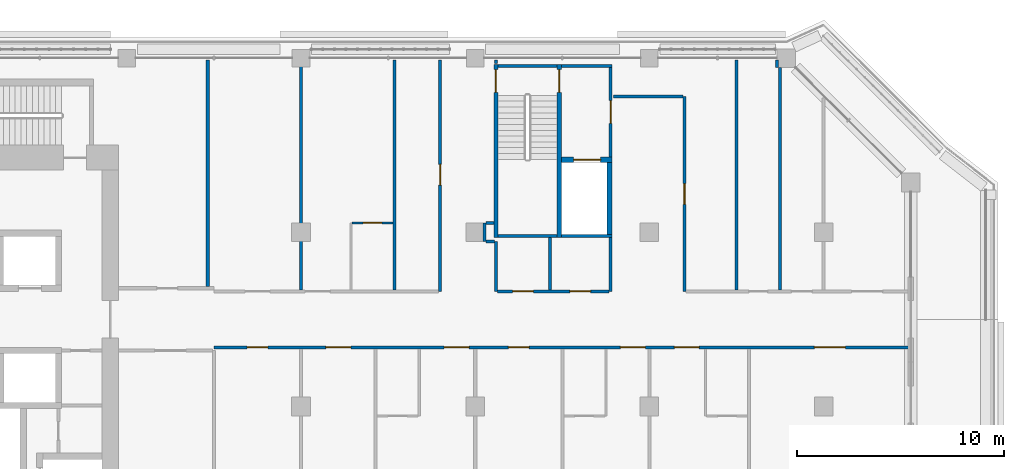
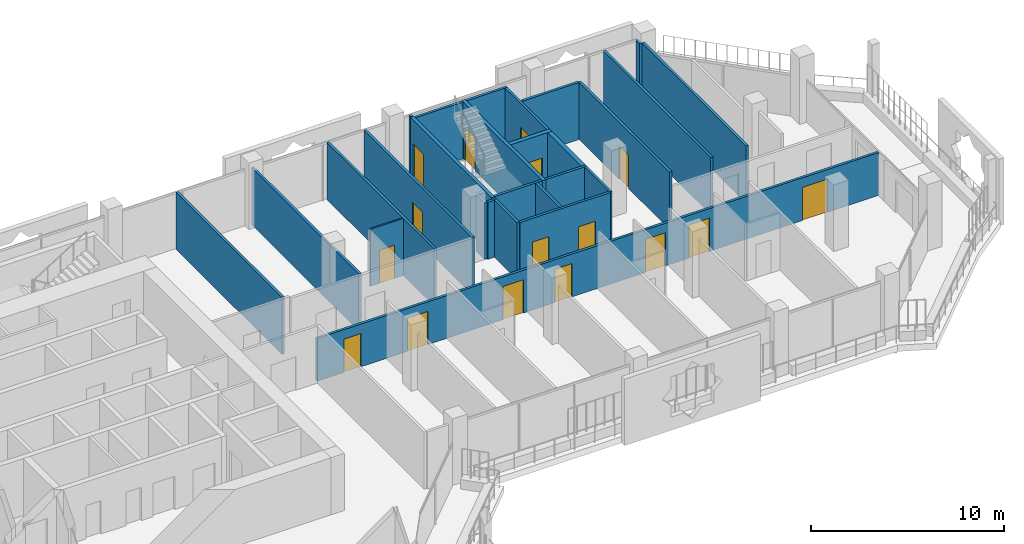
# One storey, part 12 of 21: 28 walls, 16 doors, 16 openings.
"""IFC4 building model written with IfcOpenShell, lengths in metres."""

from ifc_helpers import new_model, si_unit, direction, frame, frame_2d, origin, place, context, subcontext, project, spatial, rectangle, extrude, material, layer, layer_set, type_object, element, fill, save


model = new_model("IFC4")

# Units and contexts
model_context = context("Model", 3, precision=1e-05, world=origin(), true_north=direction((0.0, 1.0)))
body_context = subcontext(model_context, "Body", "Model", "MODEL_VIEW")
ifc_project = project(units=[si_unit("LENGTHUNIT", "METRE"), si_unit("AREAUNIT", "SQUARE_METRE"), si_unit("VOLUMEUNIT", "CUBIC_METRE"), si_unit("PLANEANGLEUNIT", "RADIAN"), si_unit("MASSUNIT", "GRAM", prefix="KILO")], contexts=[model_context])

# Site, building, storey
site_placement = place(None, origin())
site = spatial("IfcSite", under=ifc_project, at=site_placement, CompositionType="ELEMENT")
building_placement = place(site_placement, origin())
building = spatial("IfcBuilding", under=site, at=building_placement, Name="Kawkab Arch Medical Tower", CompositionType="ELEMENT")
storey_placement = place(building_placement, frame((0.0, 0.0, 264.199951171875)))
storey = spatial("IfcBuildingStorey", under=building, at=storey_placement, Name="L61", CompositionType="ELEMENT", Elevation=264.199951171875)

# Wall, opening, door
ifc_material_1 = material(Name="Gypsum board on steel studs", Category="steel")
ifc_layer_1 = layer(ifc_material_1, 0.14990234375)
ifc_layer_set_1 = layer_set([ifc_layer_1], Name="Gypsum board on steel studs")
wall_type_1 = type_object("IfcWallType", Name="Core room partition 150", PredefinedType="PARTITIONING", material=ifc_layer_set_1)
wall_1_placement = place(storey_placement, frame((48.52490234375, -4.77490234375, 0.0), z_axis=(0.0, 0.0, 1.0), x_axis=(0.0, 1.0, 0.0)))
wall_1 = element("IfcWall", 1, at=wall_1_placement, inside=storey, type_object=wall_type_1, Name="L61 core room partition", PredefinedType="PARTITIONING", context=body_context, shape_type="SweptSolid", body=[
    extrude(rectangle(XDim=4.324951171875, YDim=0.14990234375, at=frame_2d((2.16259765625, 0.0))), origin(), (0.0, 0.0, 1.0), 3.60009765625),
])
opening_1_placement = place(wall_1_placement, frame((1.625, 0.0, 0.0)))
opening_1 = element("IfcOpeningElement", 2, at=opening_1_placement, cuts=wall_1, Name="Opening FD", PredefinedType="OPENING", context=body_context, shape_type="SweptSolid", body=[
    extrude(rectangle(XDim=1.10009765625, YDim=2.10009765625, at=frame_2d((0.550048828125, 1.050048828125))), frame((0.0, 0.0849609375, 0.0), z_axis=(0.0, -1.0, 0.0), x_axis=(1.0, 0.0, 0.0)), (0.0, 0.0, 1.0), 0.169921875),
])
ifc_material_2 = material(Name="Hollow metal fire door leaf")
door_type_1 = type_object("IfcDoorType", Name="Firefighting lobby door 1100", OperationType="SINGLE_SWING_LEFT", PredefinedType="DOOR", material=ifc_material_2)
door_1_placement = place(opening_1_placement, origin())
door_1 = element("IfcDoor", 3, at=door_1_placement, inside=storey, type_object=door_type_1, Name="L61 Service lift lobby door SV1", OperationType="SINGLE_SWING_LEFT", OverallHeight=2.10009765625, OverallWidth=1.10009765625, PredefinedType="DOOR", context=body_context, shape_type="SweptSolid", body=[
    extrude(rectangle(XDim=1.10009765625, YDim=2.10009765625, at=frame_2d((0.550048828125, 1.050048828125))), frame((0.0, 0.02490234375, 0.0), z_axis=(0.0, -1.0, 0.0), x_axis=(1.0, 0.0, 0.0)), (0.0, 0.0, 1.0), 0.050048828125),
])
fill(opening_1, door_1)

ifc_material_3 = material(Name="Concrete C60/75", Category="concrete")
ifc_layer_2 = layer(ifc_material_3, 0.25)
ifc_layer_set_2 = layer_set([ifc_layer_2], Name="Concrete C60/75")
wall_type_2 = type_object("IfcWallType", Name="Core shear wall 250 C60/75", PredefinedType="SHEAR", material=ifc_layer_set_2)
wall_2_placement = place(storey_placement, frame((46.14990234375, -4.89990234375, 0.0), z_axis=(0.0, 0.0, 1.0), x_axis=(1.0, 0.0, 0.0)))
wall_2 = element("IfcWall", 4, at=wall_2_placement, inside=storey, type_object=wall_type_2, Name="L61 core shear wall", PredefinedType="SHEAR", context=body_context, shape_type="SweptSolid", body=[
    extrude(rectangle(XDim=2.4501953125, YDim=0.25, at=frame_2d((1.22509765625, 0.0))), origin(), (0.0, 0.0, 1.0), 3.60009765625),
])
opening_2_placement = place(wall_2_placement, frame((0.60009765625, 0.0, 0.0)))
opening_2 = element("IfcOpeningElement", 5, at=opening_2_placement, cuts=wall_2, Name="Opening LD2", PredefinedType="OPENING", context=body_context, shape_type="SweptSolid", body=[
    extrude(rectangle(XDim=1.300048828125, YDim=2.10009765625, at=frame_2d((0.64990234375, 1.050048828125))), frame((0.0, 0.135009765625, 0.0), z_axis=(0.0, -1.0, 0.0), x_axis=(1.0, 0.0, 0.0)), (0.0, 0.0, 1.0), 0.27001953125),
])
ifc_material_4 = material(Name="Stainless steel lift door leaf", Category="steel")
door_type_2 = type_object("IfcDoorType", Name="Lift landing door 1300", OperationType="DOUBLE_DOOR_SLIDING", PredefinedType="DOOR", material=ifc_material_4)
door_2_placement = place(opening_2_placement, origin())
door_2 = element("IfcDoor", 6, at=door_2_placement, inside=storey, type_object=door_type_2, Name="L61 Lift landing door SV1", OperationType="DOUBLE_DOOR_SLIDING", OverallHeight=2.10009765625, OverallWidth=1.300048828125, PredefinedType="DOOR", context=body_context, shape_type="SweptSolid", body=[
    extrude(rectangle(XDim=1.300048828125, YDim=2.10009765625, at=frame_2d((0.64990234375, 1.050048828125))), frame((0.0, 0.02490234375, 0.0), z_axis=(0.0, -1.0, 0.0), x_axis=(1.0, 0.0, 0.0)), (0.0, 0.0, 1.0), 0.050048828125),
])
fill(opening_2, door_2)

# Wall
wall_3_placement = place(storey_placement, frame((48.47509765625, -8.5, 0.0), z_axis=(0.0, 0.0, 1.0), x_axis=(0.0, 1.0, 0.0)))
element("IfcWall", 7, at=wall_3_placement, inside=storey, type_object=wall_type_2, Name="L61 core shear wall", PredefinedType="SHEAR", context=body_context, shape_type="SweptSolid", body=[
    extrude(rectangle(XDim=3.47509765625, YDim=0.25, at=frame_2d((1.737548828125, 0.0))), origin(), (0.0, 0.0, 1.0), 3.60009765625),
])

# Wall, opening, door
ifc_material_5 = material(Name="Gypsum board partition on steel studs", Category="steel")
ifc_layer_3 = layer(ifc_material_5, 0.10009765625)
ifc_layer_set_3 = layer_set([ifc_layer_3], Name="Gypsum board partition on steel studs")
wall_type_3 = type_object("IfcWallType", Name="Partition 100", PredefinedType="PARTITIONING", material=ifc_layer_set_3)
wall_4_placement = place(storey_placement, frame((36.050048828125, -7.949951171875, 0.0), z_axis=(0.0, 0.0, 1.0), x_axis=(1.0, 0.0, 0.0)))
wall_4 = element("IfcWall", 8, at=wall_4_placement, inside=storey, type_object=wall_type_3, Name="Partition 100 w004", PredefinedType="PARTITIONING", context=body_context, shape_type="SweptSolid", body=[
    extrude(rectangle(XDim=1.974853515625, YDim=0.10009765625, at=frame_2d((0.9873046875, 0.0))), origin(), (0.0, 0.0, 1.0), 3.60009765625),
])
opening_3_placement = place(wall_4_placement, frame((0.550048828125, 0.0, 0.0)))
opening_3 = element("IfcOpeningElement", 9, at=opening_3_placement, cuts=wall_4, Name="Opening W56-006", PredefinedType="OPENING", context=body_context, shape_type="SweptSolid", body=[
    extrude(rectangle(XDim=0.89990234375, YDim=2.10009765625, at=frame_2d((0.449951171875, 1.050048828125))), frame((0.0, 0.06005859375, 0.0), z_axis=(0.0, -1.0, 0.0), x_axis=(1.0, 0.0, 0.0)), (0.0, 0.0, 1.0), 0.1201171875),
])
ifc_material_6 = material(Name="Timber door leaf", Category="wood")
door_type_3 = type_object("IfcDoorType", Name="Single door 900x2100", OperationType="NOTDEFINED", PredefinedType="DOOR", material=ifc_material_6)
door_3_placement = place(opening_3_placement, origin())
door_3 = element("IfcDoor", 10, at=door_3_placement, inside=storey, type_object=door_type_3, Name="Door W56-006", OperationType="SINGLE_SWING_LEFT", OverallHeight=2.10009765625, OverallWidth=0.89990234375, PredefinedType="DOOR", context=body_context, shape_type="SweptSolid", body=[
    extrude(rectangle(XDim=0.89990234375, YDim=2.10009765625, at=frame_2d((0.449951171875, 1.050048828125))), frame((0.0, 0.02490234375, 0.0), z_axis=(0.0, -1.0, 0.0), x_axis=(1.0, 0.0, 0.0)), (0.0, 0.0, 1.0), 0.050048828125),
])
fill(opening_3, door_3)

# Wall, openings, doors
ifc_material_7 = material(Name="Gypsum board partition on steel studs, mineral wool", Category="steel")
ifc_layer_4 = layer(ifc_material_7, 0.14990234375)
ifc_layer_set_4 = layer_set([ifc_layer_4], Name="Gypsum board partition on steel studs, mineral wool")
wall_type_4 = type_object("IfcWallType", Name="Partition 150", PredefinedType="PARTITIONING", material=ifc_layer_set_4)
wall_5_placement = place(storey_placement, frame((29.39990234375, -13.949951171875, 0.0), z_axis=(0.0, 0.0, 1.0), x_axis=(1.0, 0.0, 0.0)))
wall_5 = element("IfcWall", 11, at=wall_5_placement, inside=storey, type_object=wall_type_4, Name="Partition 150 w021", PredefinedType="PARTITIONING", context=body_context, shape_type="SweptSolid", body=[
    extrude(rectangle(XDim=33.52001953125, YDim=0.14990234375, at=frame_2d((16.760009765625, 0.0))), origin(), (0.0, 0.0, 1.0), 2.699951171875),
])
opening_4_placement = place(wall_5_placement, frame((1.60009765625, 0.0, 0.0)))
opening_4 = element("IfcOpeningElement", 12, at=opening_4_placement, cuts=wall_5, Name="Opening W56-017", PredefinedType="OPENING", context=body_context, shape_type="SweptSolid", body=[
    extrude(rectangle(XDim=1.0, YDim=2.10009765625, at=frame_2d((0.5, 1.050048828125))), frame((0.0, 0.0849609375, 0.0), z_axis=(0.0, -1.0, 0.0), x_axis=(1.0, 0.0, 0.0)), (0.0, 0.0, 1.0), 0.169921875),
])
opening_5_placement = place(wall_5_placement, frame((5.39990234375, 0.0, 0.0)))
opening_5 = element("IfcOpeningElement", 13, at=opening_5_placement, cuts=wall_5, Name="Opening W56-024", PredefinedType="OPENING", context=body_context, shape_type="SweptSolid", body=[
    extrude(rectangle(XDim=1.199951171875, YDim=2.10009765625, at=frame_2d((0.60009765625, 1.050048828125))), frame((0.0, 0.0849609375, 0.0), z_axis=(0.0, -1.0, 0.0), x_axis=(1.0, 0.0, 0.0)), (0.0, 0.0, 1.0), 0.169921875),
])
opening_6_placement = place(wall_5_placement, frame((11.10009765625, 0.0, 0.0)))
opening_6 = element("IfcOpeningElement", 14, at=opening_6_placement, cuts=wall_5, Name="Opening W56-025", PredefinedType="OPENING", context=body_context, shape_type="SweptSolid", body=[
    extrude(rectangle(XDim=1.199951171875, YDim=2.10009765625, at=frame_2d((0.60009765625, 1.050048828125))), frame((0.0, 0.0849609375, 0.0), z_axis=(0.0, -1.0, 0.0), x_axis=(1.0, 0.0, 0.0)), (0.0, 0.0, 1.0), 0.169921875),
])
opening_7_placement = place(wall_5_placement, frame((14.199951171875, 0.0, 0.0)))
opening_7 = element("IfcOpeningElement", 15, at=opening_7_placement, cuts=wall_5, Name="Opening W56-018", PredefinedType="OPENING", context=body_context, shape_type="SweptSolid", body=[
    extrude(rectangle(XDim=1.0, YDim=2.10009765625, at=frame_2d((0.5, 1.050048828125))), frame((0.0, 0.0849609375, 0.0), z_axis=(0.0, -1.0, 0.0), x_axis=(1.0, 0.0, 0.0)), (0.0, 0.0, 1.0), 0.169921875),
])
opening_8_placement = place(wall_5_placement, frame((19.60009765625, 0.0, 0.0)))
opening_8 = element("IfcOpeningElement", 16, at=opening_8_placement, cuts=wall_5, Name="Opening W56-026", PredefinedType="OPENING", context=body_context, shape_type="SweptSolid", body=[
    extrude(rectangle(XDim=1.199951171875, YDim=2.10009765625, at=frame_2d((0.60009765625, 1.050048828125))), frame((0.0, 0.0849609375, 0.0), z_axis=(0.0, -1.0, 0.0), x_axis=(1.0, 0.0, 0.0)), (0.0, 0.0, 1.0), 0.169921875),
])
opening_9_placement = place(wall_5_placement, frame((22.199951171875, 0.0, 0.0)))
opening_9 = element("IfcOpeningElement", 17, at=opening_9_placement, cuts=wall_5, Name="Opening W56-027", PredefinedType="OPENING", context=body_context, shape_type="SweptSolid", body=[
    extrude(rectangle(XDim=1.199951171875, YDim=2.10009765625, at=frame_2d((0.60009765625, 1.050048828125))), frame((0.0, 0.0849609375, 0.0), z_axis=(0.0, -1.0, 0.0), x_axis=(1.0, 0.0, 0.0)), (0.0, 0.0, 1.0), 0.169921875),
])
opening_10_placement = place(wall_5_placement, frame((28.949951171875, 0.0, 0.0)))
opening_10 = element("IfcOpeningElement", 18, at=opening_10_placement, cuts=wall_5, Name="Opening W56-002", PredefinedType="OPENING", context=body_context, shape_type="SweptSolid", body=[
    extrude(rectangle(XDim=1.5, YDim=2.10009765625, at=frame_2d((0.75, 1.050048828125))), frame((0.0, 0.0849609375, 0.0), z_axis=(0.0, -1.0, 0.0), x_axis=(1.0, 0.0, 0.0)), (0.0, 0.0, 1.0), 0.169921875),
])
ifc_material_8 = material(Name="Hollow metal door leaf")
door_type_4 = type_object("IfcDoorType", Name="Double door 1500x2100 FD30S", OperationType="NOTDEFINED", PredefinedType="DOOR", material=ifc_material_8)
door_4_placement = place(opening_10_placement, origin())
door_4 = element("IfcDoor", 19, at=door_4_placement, inside=storey, type_object=door_type_4, Name="Door W56-002", OperationType="DOUBLE_DOOR_SINGLE_SWING", OverallHeight=2.10009765625, OverallWidth=1.5, PredefinedType="DOOR", context=body_context, shape_type="SweptSolid", body=[
    extrude(rectangle(XDim=1.5, YDim=2.10009765625, at=frame_2d((0.75, 1.050048828125))), frame((0.0, 0.02490234375, 0.0), z_axis=(0.0, -1.0, 0.0), x_axis=(1.0, 0.0, 0.0)), (0.0, 0.0, 1.0), 0.050048828125),
])
fill(opening_10, door_4)
ifc_material_9 = material(Name="Hollow metal door leaf")
door_type_5 = type_object("IfcDoorType", Name="Single door 1000x2100 FD30S", OperationType="NOTDEFINED", PredefinedType="DOOR", material=ifc_material_9)
door_5_placement = place(opening_4_placement, origin())
door_5 = element("IfcDoor", 20, at=door_5_placement, inside=storey, type_object=door_type_5, Name="Door W56-017", OperationType="SINGLE_SWING_RIGHT", OverallHeight=2.10009765625, OverallWidth=1.0, PredefinedType="DOOR", context=body_context, shape_type="SweptSolid", body=[
    extrude(rectangle(XDim=1.0, YDim=2.10009765625, at=frame_2d((0.5, 1.050048828125))), frame((0.0, 0.02490234375, 0.0), z_axis=(0.0, -1.0, 0.0), x_axis=(1.0, 0.0, 0.0)), (0.0, 0.0, 1.0), 0.050048828125),
])
fill(opening_4, door_5)
door_6_placement = place(opening_7_placement, origin())
door_6 = element("IfcDoor", 21, at=door_6_placement, inside=storey, type_object=door_type_5, Name="Door W56-018", OperationType="SINGLE_SWING_RIGHT", OverallHeight=2.10009765625, OverallWidth=1.0, PredefinedType="DOOR", context=body_context, shape_type="SweptSolid", body=[
    extrude(rectangle(XDim=1.0, YDim=2.10009765625, at=frame_2d((0.5, 1.050048828125))), frame((0.0, 0.02490234375, 0.0), z_axis=(0.0, -1.0, 0.0), x_axis=(1.0, 0.0, 0.0)), (0.0, 0.0, 1.0), 0.050048828125),
])
fill(opening_7, door_6)
ifc_material_10 = material(Name="Hollow metal door leaf")
door_type_6 = type_object("IfcDoorType", Name="Single door 1200x2100 FD30S", OperationType="NOTDEFINED", PredefinedType="DOOR", material=ifc_material_10)
door_7_placement = place(opening_5_placement, origin())
door_7 = element("IfcDoor", 22, at=door_7_placement, inside=storey, type_object=door_type_6, Name="Door W56-024", OperationType="SINGLE_SWING_RIGHT", OverallHeight=2.10009765625, OverallWidth=1.199951171875, PredefinedType="DOOR", context=body_context, shape_type="SweptSolid", body=[
    extrude(rectangle(XDim=1.199951171875, YDim=2.10009765625, at=frame_2d((0.60009765625, 1.050048828125))), frame((0.0, 0.02490234375, 0.0), z_axis=(0.0, -1.0, 0.0), x_axis=(1.0, 0.0, 0.0)), (0.0, 0.0, 1.0), 0.050048828125),
])
fill(opening_5, door_7)
door_8_placement = place(opening_6_placement, origin())
door_8 = element("IfcDoor", 23, at=door_8_placement, inside=storey, type_object=door_type_6, Name="Door W56-025", OperationType="SINGLE_SWING_RIGHT", OverallHeight=2.10009765625, OverallWidth=1.199951171875, PredefinedType="DOOR", context=body_context, shape_type="SweptSolid", body=[
    extrude(rectangle(XDim=1.199951171875, YDim=2.10009765625, at=frame_2d((0.60009765625, 1.050048828125))), frame((0.0, 0.02490234375, 0.0), z_axis=(0.0, -1.0, 0.0), x_axis=(1.0, 0.0, 0.0)), (0.0, 0.0, 1.0), 0.050048828125),
])
fill(opening_6, door_8)
door_9_placement = place(opening_8_placement, origin())
door_9 = element("IfcDoor", 24, at=door_9_placement, inside=storey, type_object=door_type_6, Name="Door W56-026", OperationType="SINGLE_SWING_LEFT", OverallHeight=2.10009765625, OverallWidth=1.199951171875, PredefinedType="DOOR", context=body_context, shape_type="SweptSolid", body=[
    extrude(rectangle(XDim=1.199951171875, YDim=2.10009765625, at=frame_2d((0.60009765625, 1.050048828125))), frame((0.0, 0.02490234375, 0.0), z_axis=(0.0, -1.0, 0.0), x_axis=(1.0, 0.0, 0.0)), (0.0, 0.0, 1.0), 0.050048828125),
])
fill(opening_8, door_9)
door_10_placement = place(opening_9_placement, origin())
door_10 = element("IfcDoor", 25, at=door_10_placement, inside=storey, type_object=door_type_6, Name="Door W56-027", OperationType="SINGLE_SWING_LEFT", OverallHeight=2.10009765625, OverallWidth=1.199951171875, PredefinedType="DOOR", context=body_context, shape_type="SweptSolid", body=[
    extrude(rectangle(XDim=1.199951171875, YDim=2.10009765625, at=frame_2d((0.60009765625, 1.050048828125))), frame((0.0, 0.02490234375, 0.0), z_axis=(0.0, -1.0, 0.0), x_axis=(1.0, 0.0, 0.0)), (0.0, 0.0, 1.0), 0.050048828125),
])
fill(opening_9, door_10)

wall_6_placement = place(storey_placement, frame((43.074951171875, -11.25, 0.0), z_axis=(0.0, 0.0, 1.0), x_axis=(1.0, 0.0, 0.0)))
wall_6 = element("IfcWall", 26, at=wall_6_placement, inside=storey, type_object=wall_type_4, Name="Partition 150 w023", PredefinedType="PARTITIONING", context=body_context, shape_type="SweptSolid", body=[
    extrude(rectangle(XDim=5.375, YDim=0.14990234375, at=frame_2d((2.6875, 0.0))), origin(), (0.0, 0.0, 1.0), 3.60009765625),
])
opening_11_placement = place(wall_6_placement, frame((0.72509765625, 0.0, 0.0)))
opening_11 = element("IfcOpeningElement", 27, at=opening_11_placement, cuts=wall_6, Name="Opening W56-014", PredefinedType="OPENING", context=body_context, shape_type="SweptSolid", body=[
    extrude(rectangle(XDim=1.0, YDim=2.10009765625, at=frame_2d((0.5, 1.050048828125))), frame((0.0, 0.0849609375, 0.0), z_axis=(0.0, -1.0, 0.0), x_axis=(1.0, 0.0, 0.0)), (0.0, 0.0, 1.0), 0.169921875),
])
opening_12_placement = place(wall_6_placement, frame((3.487060546875, 0.0, 0.0)))
opening_12 = element("IfcOpeningElement", 28, at=opening_12_placement, cuts=wall_6, Name="Opening W56-015", PredefinedType="OPENING", context=body_context, shape_type="SweptSolid", body=[
    extrude(rectangle(XDim=1.0, YDim=2.10009765625, at=frame_2d((0.5, 1.050048828125))), frame((0.0, 0.0849609375, 0.0), z_axis=(0.0, -1.0, 0.0), x_axis=(1.0, 0.0, 0.0)), (0.0, 0.0, 1.0), 0.169921875),
])
door_11_placement = place(opening_11_placement, origin())
door_11 = element("IfcDoor", 29, at=door_11_placement, inside=storey, type_object=door_type_5, Name="Door W56-014", OperationType="SINGLE_SWING_LEFT", OverallHeight=2.10009765625, OverallWidth=1.0, PredefinedType="DOOR", context=body_context, shape_type="SweptSolid", body=[
    extrude(rectangle(XDim=1.0, YDim=2.10009765625, at=frame_2d((0.5, 1.050048828125))), frame((0.0, 0.02490234375, 0.0), z_axis=(0.0, -1.0, 0.0), x_axis=(1.0, 0.0, 0.0)), (0.0, 0.0, 1.0), 0.050048828125),
])
fill(opening_11, door_11)
door_12_placement = place(opening_12_placement, origin())
door_12 = element("IfcDoor", 30, at=door_12_placement, inside=storey, type_object=door_type_5, Name="Door W56-015", OperationType="SINGLE_SWING_RIGHT", OverallHeight=2.10009765625, OverallWidth=1.0, PredefinedType="DOOR", context=body_context, shape_type="SweptSolid", body=[
    extrude(rectangle(XDim=1.0, YDim=2.10009765625, at=frame_2d((0.5, 1.050048828125))), frame((0.0, 0.02490234375, 0.0), z_axis=(0.0, -1.0, 0.0), x_axis=(1.0, 0.0, 0.0)), (0.0, 0.0, 1.0), 0.050048828125),
])
fill(opening_12, door_12)

# Walls
wall_7_placement = place(storey_placement, frame((42.527099609375, -8.85009765625, 0.0), z_axis=(0.0, 0.0, 1.0), x_axis=(1.0, 0.0, 0.0)))
element("IfcWall", 31, at=wall_7_placement, inside=storey, type_object=wall_type_4, Name="Partition 150 w026", PredefinedType="PARTITIONING", context=body_context, shape_type="SweptSolid", body=[
    extrude(rectangle(XDim=0.39794921875, YDim=0.14990234375, at=frame_2d((0.198974609375, 0.0))), origin(), (0.0, 0.0, 1.0), 3.60009765625),
])
wall_8_placement = place(storey_placement, frame((42.527099609375, -7.949951171875, 0.0), z_axis=(0.0, 0.0, 1.0), x_axis=(1.0, 0.0, 0.0)))
element("IfcWall", 32, at=wall_8_placement, inside=storey, type_object=wall_type_4, Name="Partition 150 w027", PredefinedType="PARTITIONING", context=body_context, shape_type="SweptSolid", body=[
    extrude(rectangle(XDim=0.372802734375, YDim=0.14990234375, at=frame_2d((0.1865234375, 0.0))), origin(), (0.0, 0.0, 1.0), 3.60009765625),
])
wall_9_placement = place(storey_placement, frame((48.679931640625, -1.85009765625, 0.0), z_axis=(0.0, 0.0, 1.0), x_axis=(1.0, 0.0, 0.0)))
element("IfcWall", 33, at=wall_9_placement, inside=storey, type_object=wall_type_4, Name="Partition 150 w028", PredefinedType="PARTITIONING", context=body_context, shape_type="SweptSolid", body=[
    extrude(rectangle(XDim=3.336181640625, YDim=0.14990234375, at=frame_2d((1.66796875, 0.0))), origin(), (0.0, 0.0, 1.0), 3.60009765625),
])
wall_10_placement = place(storey_placement, frame((29.10009765625, -11.02490234375, 0.0), z_axis=(0.0, 0.0, 1.0), x_axis=(0.0, 1.0, 0.0)))
element("IfcWall", 34, at=wall_10_placement, inside=storey, type_object=wall_type_4, Name="Partition 150 w038", PredefinedType="PARTITIONING", context=body_context, shape_type="SweptSolid", body=[
    extrude(rectangle(XDim=10.94482421875, YDim=0.14990234375, at=frame_2d((5.472412109375, 0.0))), origin(), (0.0, 0.0, 1.0), 3.60009765625),
])
for number, where, z_axis, x_axis, name in (
    (35, (33.60009765625, -11.175048828125, 0.0), (0.0, 0.0, 1.0), (0.0, 1.0, 0.0), "Partition 150 w041"),
    (36, (38.10009765625, -11.175048828125, 0.0), (0.0, 0.0, 1.0), (0.0, 1.0, 0.0), "Partition 150 w043"),
):
    element("IfcWall", number, at=place(storey_placement, frame(where, z_axis=z_axis, x_axis=x_axis)), inside=storey, type_object=wall_type_4, Name=name, PredefinedType="PARTITIONING", context=body_context, shape_type="SweptSolid", body=[
        extrude(rectangle(XDim=11.094970703125, YDim=0.14990234375, at=frame_2d((5.54736328125, 0.0))), origin(), (0.0, 0.0, 1.0), 3.60009765625),
    ])

# Wall, opening, door
wall_11_placement = place(storey_placement, frame((40.306884765625, -11.25, 0.0), z_axis=(0.0, 0.0, 1.0), x_axis=(0.0, 1.0, 0.0)))
wall_11 = element("IfcWall", 37, at=wall_11_placement, inside=storey, type_object=wall_type_4, Name="Partition 150 w044", PredefinedType="PARTITIONING", context=body_context, shape_type="SweptSolid", body=[
    extrude(rectangle(XDim=11.169921875, YDim=0.14990234375, at=frame_2d((5.5849609375, 0.0))), origin(), (0.0, 0.0, 1.0), 3.60009765625),
])
opening_13_placement = place(wall_11_placement, frame((5.125, 0.0, 0.0)))
opening_13 = element("IfcOpeningElement", 38, at=opening_13_placement, cuts=wall_11, Name="Opening W56-013", PredefinedType="OPENING", context=body_context, shape_type="SweptSolid", body=[
    extrude(rectangle(XDim=1.0, YDim=2.10009765625, at=frame_2d((0.5, 1.050048828125))), frame((0.0, 0.0849609375, 0.0), z_axis=(0.0, -1.0, 0.0), x_axis=(1.0, 0.0, 0.0)), (0.0, 0.0, 1.0), 0.169921875),
])
door_13_placement = place(opening_13_placement, origin())
door_13 = element("IfcDoor", 39, at=door_13_placement, inside=storey, type_object=door_type_5, Name="Door W56-013", OperationType="SINGLE_SWING_RIGHT", OverallHeight=2.10009765625, OverallWidth=1.0, PredefinedType="DOOR", context=body_context, shape_type="SweptSolid", body=[
    extrude(rectangle(XDim=1.0, YDim=2.10009765625, at=frame_2d((0.5, 1.050048828125))), frame((0.0, 0.02490234375, 0.0), z_axis=(0.0, -1.0, 0.0), x_axis=(1.0, 0.0, 0.0)), (0.0, 0.0, 1.0), 0.050048828125),
])
fill(opening_13, door_13)

# Walls
wall_12_placement = place(storey_placement, frame((42.449951171875, -8.84912109375, 0.0), z_axis=(0.0, 0.0, 1.0), x_axis=(0.0, 1.0, 0.0)))
element("IfcWall", 40, at=wall_12_placement, inside=storey, type_object=wall_type_4, Name="Partition 150 w046", PredefinedType="PARTITIONING", context=body_context, shape_type="SweptSolid", body=[
    extrude(rectangle(XDim=0.897216796875, YDim=0.14990234375, at=frame_2d((0.44873046875, 0.0))), origin(), (0.0, 0.0, 1.0), 3.60009765625),
])
wall_13_placement = place(storey_placement, frame((43.0, -11.25, 0.0), z_axis=(0.0, 0.0, 1.0), x_axis=(0.0, 1.0, 0.0)))
element("IfcWall", 41, at=wall_13_placement, inside=storey, type_object=wall_type_4, Name="Partition 150 w047", PredefinedType="PARTITIONING", context=body_context, shape_type="SweptSolid", body=[
    extrude(rectangle(XDim=2.39990234375, YDim=0.14990234375, at=frame_2d((1.199951171875, 0.0))), origin(), (0.0, 0.0, 1.0), 3.60009765625),
])
wall_14_placement = place(storey_placement, frame((43.0, -0.27001953125, 0.0), z_axis=(0.0, 0.0, 1.0), x_axis=(0.0, 1.0, 0.0)))
element("IfcWall", 42, at=wall_14_placement, inside=storey, type_object=wall_type_4, Name="Partition 150 w048", PredefinedType="PARTITIONING", context=body_context, shape_type="SweptSolid", body=[
    extrude(rectangle(XDim=0.18994140625, YDim=0.14990234375, at=frame_2d((0.094970703125, 0.0))), origin(), (0.0, 0.0, 1.0), 3.60009765625),
])
wall_15_placement = place(storey_placement, frame((45.60009765625, -11.175048828125, 0.0), z_axis=(0.0, 0.0, 1.0), x_axis=(0.0, 1.0, 0.0)))
element("IfcWall", 43, at=wall_15_placement, inside=storey, type_object=wall_type_4, Name="Partition 150 w049", PredefinedType="PARTITIONING", context=body_context, shape_type="SweptSolid", body=[
    extrude(rectangle(XDim=2.525146484375, YDim=0.14990234375, at=frame_2d((1.2626953125, 0.0))), origin(), (0.0, 0.0, 1.0), 3.60009765625),
])
wall_16_placement = place(storey_placement, frame((48.52490234375, -11.25, 0.0), z_axis=(0.0, 0.0, 1.0), x_axis=(0.0, 1.0, 0.0)))
element("IfcWall", 44, at=wall_16_placement, inside=storey, type_object=wall_type_4, Name="Partition 150 w051", PredefinedType="PARTITIONING", context=body_context, shape_type="SweptSolid", body=[
    extrude(rectangle(XDim=2.60009765625, YDim=0.14990234375, at=frame_2d((1.300048828125, 0.0))), origin(), (0.0, 0.0, 1.0), 3.60009765625),
])

# Wall, opening, door
wall_17_placement = place(storey_placement, frame((52.093017578125, -11.25, 0.0), z_axis=(0.0, 0.0, 1.0), x_axis=(0.0, 1.0, 0.0)))
wall_17 = element("IfcWall", 45, at=wall_17_placement, inside=storey, type_object=wall_type_4, Name="Partition 150 w053", PredefinedType="PARTITIONING", context=body_context, shape_type="SweptSolid", body=[
    extrude(rectangle(XDim=9.39697265625, YDim=0.14990234375, at=frame_2d((4.698486328125, 0.0))), origin(), (0.0, 0.0, 1.0), 3.60009765625),
])
opening_14_placement = place(wall_17_placement, frame((4.198974609375, 0.0, 0.0)))
opening_14 = element("IfcOpeningElement", 46, at=opening_14_placement, cuts=wall_17, Name="Opening W56-016", PredefinedType="OPENING", context=body_context, shape_type="SweptSolid", body=[
    extrude(rectangle(XDim=1.0, YDim=2.10009765625, at=frame_2d((0.5, 1.050048828125))), frame((0.0, 0.0849609375, 0.0), z_axis=(0.0, -1.0, 0.0), x_axis=(1.0, 0.0, 0.0)), (0.0, 0.0, 1.0), 0.169921875),
])
door_14_placement = place(opening_14_placement, origin())
door_14 = element("IfcDoor", 47, at=door_14_placement, inside=storey, type_object=door_type_5, Name="Door W56-016", OperationType="SINGLE_SWING_RIGHT", OverallHeight=2.10009765625, OverallWidth=1.0, PredefinedType="DOOR", context=body_context, shape_type="SweptSolid", body=[
    extrude(rectangle(XDim=1.0, YDim=2.10009765625, at=frame_2d((0.5, 1.050048828125))), frame((0.0, 0.02490234375, 0.0), z_axis=(0.0, -1.0, 0.0), x_axis=(1.0, 0.0, 0.0)), (0.0, 0.0, 1.0), 0.050048828125),
])
fill(opening_14, door_14)

# Walls
wall_18_placement = place(storey_placement, frame((54.60009765625, -11.175048828125, 0.0), z_axis=(0.0, 0.0, 1.0), x_axis=(0.0, 1.0, 0.0)))
element("IfcWall", 48, at=wall_18_placement, inside=storey, type_object=wall_type_4, Name="Partition 150 w054", PredefinedType="PARTITIONING", context=body_context, shape_type="SweptSolid", body=[
    extrude(rectangle(XDim=11.094970703125, YDim=0.14990234375, at=frame_2d((5.54736328125, 0.0))), origin(), (0.0, 0.0, 1.0), 3.60009765625),
])
wall_19_placement = place(storey_placement, frame((56.550048828125, -0.449951171875, 0.0), z_axis=(0.0, 0.0, 1.0), x_axis=(0.0, 1.0, 0.0)))
element("IfcWall", 49, at=wall_19_placement, inside=storey, type_object=wall_type_4, Name="Partition 150 w056", PredefinedType="PARTITIONING", context=body_context, shape_type="SweptSolid", body=[
    extrude(rectangle(XDim=0.369873046875, YDim=0.14990234375, at=frame_2d((0.18505859375, 0.0))), origin(), (0.0, 0.0, 1.0), 3.60009765625),
])
wall_20_placement = place(storey_placement, frame((56.699951171875, -11.175048828125, 0.0), z_axis=(0.0, 0.0, 1.0), x_axis=(0.0, 1.0, 0.0)))
element("IfcWall", 50, at=wall_20_placement, inside=storey, type_object=wall_type_4, Name="Partition 150 w057", PredefinedType="PARTITIONING", context=body_context, shape_type="SweptSolid", body=[
    extrude(rectangle(XDim=10.72216796875, YDim=0.14990234375, at=frame_2d((5.361083984375, 0.0))), origin(), (0.0, 0.0, 1.0), 3.60009765625),
])
ifc_material_11 = material(Name="Concrete C50/60", Category="concrete")
ifc_layer_5 = layer(ifc_material_11, 0.14990234375)
ifc_layer_set_5 = layer_set([ifc_layer_5], Name="Concrete C50/60")
wall_type_5 = type_object("IfcWallType", Name="Stair enclosure wall 150 C50/60", PredefinedType="SHEAR", material=ifc_layer_set_5)
wall_21_placement = place(storey_placement, frame((43.10009765625, -0.375, 0.0), z_axis=(0.0, 0.0, 1.0), x_axis=(1.0, 0.0, 0.0)))
element("IfcWall", 51, at=wall_21_placement, inside=storey, type_object=wall_type_5, Name="L61 stair enclosure wall", PredefinedType="SHEAR", context=body_context, shape_type="SweptSolid", body=[
    extrude(rectangle(XDim=2.849853515625, YDim=0.14990234375, at=frame_2d((1.4248046875, 0.0))), origin(), (0.0, 0.0, 1.0), 3.60009765625),
])
wall_22_placement = place(storey_placement, frame((46.14990234375, -0.375, 0.0), z_axis=(0.0, 0.0, 1.0), x_axis=(1.0, 0.0, 0.0)))
element("IfcWall", 52, at=wall_22_placement, inside=storey, type_object=wall_type_5, Name="L61 stair enclosure wall", PredefinedType="SHEAR", context=body_context, shape_type="SweptSolid", body=[
    extrude(rectangle(XDim=2.4501953125, YDim=0.14990234375, at=frame_2d((1.22509765625, 0.0))), origin(), (0.0, 0.0, 1.0), 3.60009765625),
])
wall_23_placement = place(storey_placement, frame((43.10009765625, -8.574951171875, 0.0), z_axis=(0.0, 0.0, 1.0), x_axis=(1.0, 0.0, 0.0)))
element("IfcWall", 53, at=wall_23_placement, inside=storey, type_object=wall_type_5, Name="L61 stair enclosure wall", PredefinedType="SHEAR", context=body_context, shape_type="SweptSolid", body=[
    extrude(rectangle(XDim=2.849853515625, YDim=0.14990234375, at=frame_2d((1.4248046875, 0.0))), origin(), (0.0, 0.0, 1.0), 3.60009765625),
])
wall_24_placement = place(storey_placement, frame((46.14990234375, -8.574951171875, 0.0), z_axis=(0.0, 0.0, 1.0), x_axis=(1.0, 0.0, 0.0)))
element("IfcWall", 54, at=wall_24_placement, inside=storey, type_object=wall_type_5, Name="L61 stair enclosure wall", PredefinedType="SHEAR", context=body_context, shape_type="SweptSolid", body=[
    extrude(rectangle(XDim=2.4501953125, YDim=0.14990234375, at=frame_2d((1.22509765625, 0.0))), origin(), (0.0, 0.0, 1.0), 3.60009765625),
])

# Wall, opening, door
ifc_material_12 = material(Name="Concrete C50/60", Category="concrete")
ifc_layer_6 = layer(ifc_material_12, 0.199951171875)
ifc_layer_set_6 = layer_set([ifc_layer_6], Name="Concrete C50/60")
wall_type_6 = type_object("IfcWallType", Name="Stair enclosure wall 200 C50/60", PredefinedType="SHEAR", material=ifc_layer_set_6)
wall_25_placement = place(storey_placement, frame((43.0, -8.64990234375, 0.0), z_axis=(0.0, 0.0, 1.0), x_axis=(0.0, 1.0, 0.0)))
wall_25 = element("IfcWall", 55, at=wall_25_placement, inside=storey, type_object=wall_type_6, Name="L61 stair enclosure wall", PredefinedType="SHEAR", context=body_context, shape_type="SweptSolid", body=[
    extrude(rectangle(XDim=8.349853515625, YDim=0.199951171875, at=frame_2d((4.1748046875, 0.0))), origin(), (0.0, 0.0, 1.0), 3.60009765625),
])
opening_15_placement = place(wall_25_placement, frame((7.0, 0.0, 0.0)))
opening_15 = element("IfcOpeningElement", 56, at=opening_15_placement, cuts=wall_25, Name="Opening SD", PredefinedType="OPENING", context=body_context, shape_type="SweptSolid", body=[
    extrude(rectangle(XDim=1.10009765625, YDim=2.10009765625, at=frame_2d((0.550048828125, 1.050048828125))), frame((0.0, 0.10986328125, 0.0), z_axis=(0.0, -1.0, 0.0), x_axis=(1.0, 0.0, 0.0)), (0.0, 0.0, 1.0), 0.219970703125),
])
ifc_material_13 = material(Name="Hollow metal fire door leaf")
door_type_7 = type_object("IfcDoorType", Name="Exit stair door 1100", OperationType="SINGLE_SWING_LEFT", PredefinedType="DOOR", material=ifc_material_13)
door_15_placement = place(opening_15_placement, frame((1.10009765625, 0.0, 0.0), z_axis=(0.0, 0.0, 1.0), x_axis=(-1.0, 0.0, 0.0)))
door_15 = element("IfcDoor", 57, at=door_15_placement, inside=storey, type_object=door_type_7, Name="L61 Exit stair ST5 door", OperationType="SINGLE_SWING_LEFT", OverallHeight=2.10009765625, OverallWidth=1.10009765625, PredefinedType="DOOR", context=body_context, shape_type="SweptSolid", body=[
    extrude(rectangle(XDim=1.10009765625, YDim=2.10009765625, at=frame_2d((0.550048828125, 1.050048828125))), frame((0.0, 0.02490234375, 0.0), z_axis=(0.0, -1.0, 0.0), x_axis=(1.0, 0.0, 0.0)), (0.0, 0.0, 1.0), 0.050048828125),
])
fill(opening_15, door_15)

wall_26_placement = place(storey_placement, frame((46.050048828125, -8.64990234375, 0.0), z_axis=(0.0, 0.0, 1.0), x_axis=(0.0, 1.0, 0.0)))
wall_26 = element("IfcWall", 58, at=wall_26_placement, inside=storey, type_object=wall_type_6, Name="L61 stair enclosure wall", PredefinedType="SHEAR", context=body_context, shape_type="SweptSolid", body=[
    extrude(rectangle(XDim=8.349853515625, YDim=0.199951171875, at=frame_2d((4.1748046875, 0.0))), origin(), (0.0, 0.0, 1.0), 3.60009765625),
])
opening_16_placement = place(wall_26_placement, frame((7.0, 0.0, 0.0)))
opening_16 = element("IfcOpeningElement", 59, at=opening_16_placement, cuts=wall_26, Name="Opening SD", PredefinedType="OPENING", context=body_context, shape_type="SweptSolid", body=[
    extrude(rectangle(XDim=1.10009765625, YDim=2.10009765625, at=frame_2d((0.550048828125, 1.050048828125))), frame((0.0, 0.10986328125, 0.0), z_axis=(0.0, -1.0, 0.0), x_axis=(1.0, 0.0, 0.0)), (0.0, 0.0, 1.0), 0.219970703125),
])
door_16_placement = place(opening_16_placement, origin())
door_16 = element("IfcDoor", 60, at=door_16_placement, inside=storey, type_object=door_type_7, Name="L61 Exit stair ST5 lobby door", OperationType="SINGLE_SWING_LEFT", OverallHeight=2.10009765625, OverallWidth=1.10009765625, PredefinedType="DOOR", context=body_context, shape_type="SweptSolid", body=[
    extrude(rectangle(XDim=1.10009765625, YDim=2.10009765625, at=frame_2d((0.550048828125, 1.050048828125))), frame((0.0, 0.02490234375, 0.0), z_axis=(0.0, -1.0, 0.0), x_axis=(1.0, 0.0, 0.0)), (0.0, 0.0, 1.0), 0.050048828125),
])
fill(opening_16, door_16)

save(model, "model.ifc")
